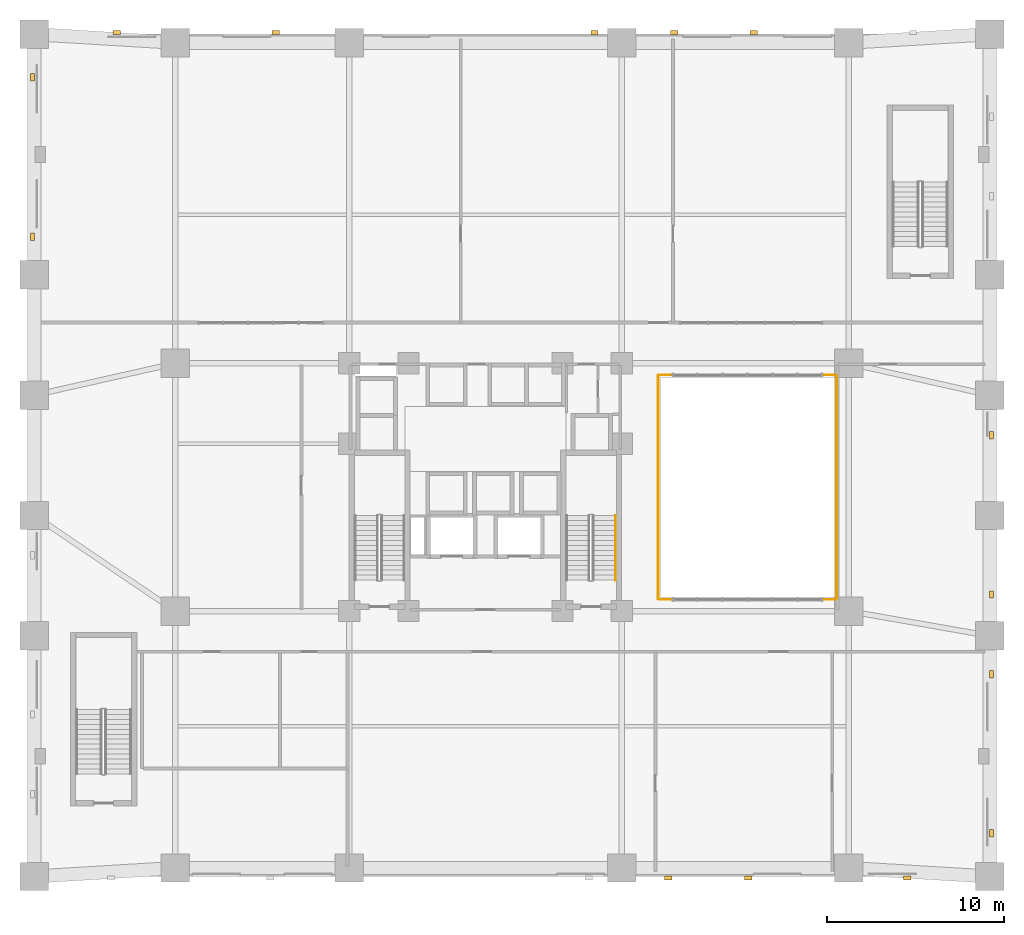
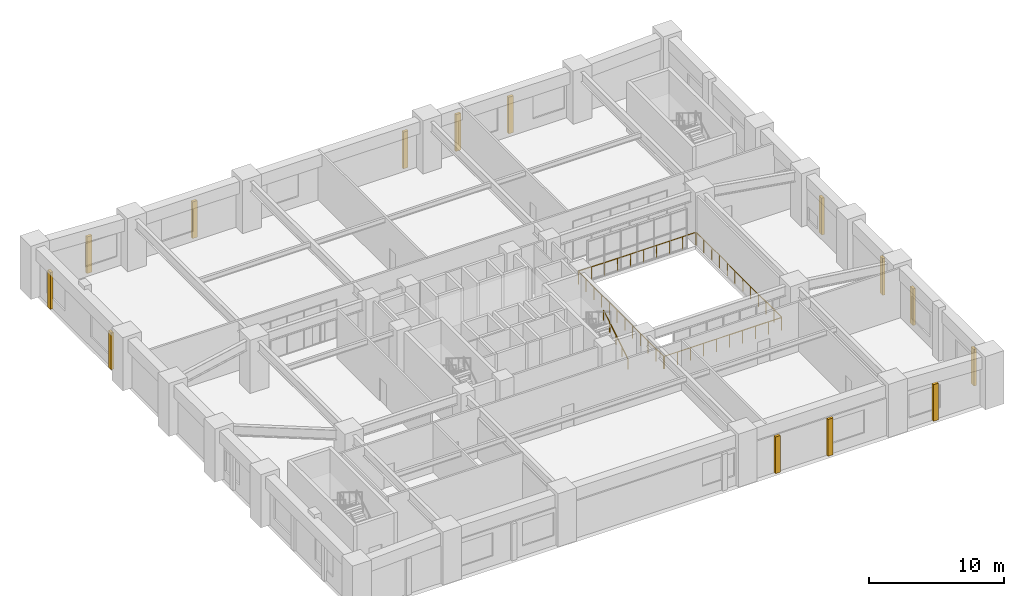
# One storey, part 12 of 13: 14 coverings, 5 railings.
"""IFC4 building model written with IfcOpenShell, lengths in metres."""

import ifcopenshell
import ifcopenshell.guid

model = None  # the IFC model being written
_history = None  # IfcOwnerHistory: only IFC2X3 demands one
_inside = {}  # id of a spatial element -> (the spatial element, [elements in it])
_under = {}  # id of a project, library or spatial element -> (it, [spatial elements below it])
_declared = {}  # id of a project -> (the project, [libraries it declares])
_typed = {}  # id of a type object -> (the type object, [elements of that type])
_made_of = {}  # id of a material, layer set ... -> (it, [elements and type objects made of it])


def new_model(schema):
    """Start an empty IFC model of exactly this schema.

    Asked for "IFC4X3", IfcOpenShell would pick the latest addendum, in which some entities
    have other attributes; the version numbers below select the first issue.
    IFC2X3 requires an IfcOwnerHistory on every rooted entity: one is made here for all.
    """
    global model, _history
    if schema == "IFC4X3":
        model = ifcopenshell.file(schema_version=(4, 3, 0, 0))
    else:
        model = ifcopenshell.file(schema=schema)
    _inside.clear()
    _under.clear()
    _declared.clear()
    _typed.clear()
    _made_of.clear()
    _history = None
    if model.schema == "IFC2X3":
        org = make("IfcOrganization", Name="unknown")
        user = make(
            "IfcPersonAndOrganization",
            ThePerson=make("IfcPerson", FamilyName="unknown"),
            TheOrganization=org,
        )
        app = make(
            "IfcApplication",
            ApplicationDeveloper=org,
            Version="unknown",
            ApplicationFullName="unknown",
            ApplicationIdentifier="unknown",
        )
        _history = make(
            "IfcOwnerHistory",
            OwningUser=user,
            OwningApplication=app,
            ChangeAction="ADDED",
            CreationDate=0,
        )
    return model


def make(cls, **values):
    """One entity of the class cls with the attributes given. An attribute that is None is left unset."""
    return model.create_entity(
        cls, **{name: value for name, value in values.items() if value is not None}
    )


def rooted(cls, **values):
    """An entity with a GlobalId (a new one), such as an element, a storey or a relation."""
    return make(cls, GlobalId=ifcopenshell.guid.new(), OwnerHistory=_history, **values)


def si_unit(unit_type, name, prefix=None):
    """IfcSIUnit, for example si_unit("LENGTHUNIT", "METRE", prefix="MILLI")."""
    return make("IfcSIUnit", UnitType=unit_type, Prefix=prefix, Name=name)


def derived_unit(unit_type, elements):
    """IfcDerivedUnit: a product of units, each with its exponent."""
    return make(
        "IfcDerivedUnit",
        Elements=[
            make("IfcDerivedUnitElement", Unit=unit, Exponent=power)
            for unit, power in elements
        ],
        UnitType=unit_type,
    )


def assignment(units):
    """IfcUnitAssignment: the units of a project."""
    return None if units is None else make("IfcUnitAssignment", Units=units)


def point(xyz):
    """IfcCartesianPoint."""
    return None if xyz is None else make("IfcCartesianPoint", Coordinates=xyz)


def direction(xyz):
    """IfcDirection."""
    return None if xyz is None else make("IfcDirection", DirectionRatios=xyz)


def frame(location, z_axis=None, x_axis=None):
    """IfcAxis2Placement3D, a coordinate frame: its origin and axes. An axis left out is left unset."""
    return make(
        "IfcAxis2Placement3D",
        Location=point(location),
        Axis=direction(z_axis),
        RefDirection=direction(x_axis),
    )


def frame_2d(location, x_axis=None):
    """IfcAxis2Placement2D, a coordinate frame in the plane: its origin and x axis."""
    return make(
        "IfcAxis2Placement2D", Location=point(location), RefDirection=direction(x_axis)
    )


def origin():
    """The frame at (0, 0, 0) with its axes left unset."""
    return frame((0.0, 0.0, 0.0))


def origin_2d():
    """The frame at (0, 0) in the plane with its x axis left unset."""
    return frame_2d((0.0, 0.0))


def place(relative_to, where):
    """IfcLocalPlacement: puts the frame where relative to a parent placement (None: the world)."""
    return make(
        "IfcLocalPlacement", PlacementRelTo=relative_to, RelativePlacement=where
    )


def context(
    kind, dimensions, precision=None, world=None, true_north=None, identifier=None
):
    """IfcGeometricRepresentationContext, for example the 3D "Model" context."""
    return make(
        "IfcGeometricRepresentationContext",
        ContextIdentifier=identifier,
        ContextType=kind,
        CoordinateSpaceDimension=dimensions,
        Precision=precision,
        WorldCoordinateSystem=world,
        TrueNorth=true_north,
    )


def subcontext(parent, identifier, kind, view, scale=None):
    """IfcGeometricRepresentationSubContext, for example "Body" below "Model"."""
    return make(
        "IfcGeometricRepresentationSubContext",
        ContextIdentifier=identifier,
        ContextType=kind,
        ParentContext=parent,
        TargetScale=scale,
        TargetView=view,
    )


def project(units=None, contexts=None):
    """IfcProject with its units and contexts."""
    return rooted(
        "IfcProject",
        Name="project",
        RepresentationContexts=contexts,
        UnitsInContext=assignment(units),
    )


def spatial(cls, under=None, at=None, **own):
    """A site, building, storey or space (cls), placed at a placement, below another one or the project."""
    s = rooted(cls, ObjectPlacement=at, **own)
    if under is not None:
        _under.setdefault(under.id(), (under, []))[1].append(s)
    return s


def profile(cls, at=None, kind="AREA", **sizes):
    """A parametric profile (cls). Its sizes go by their IFC names, for example OverallWidth=200.0."""
    return make(cls, ProfileType=kind, Position=at, **sizes)


def rectangle(**sizes):
    """IfcRectangleProfileDef."""
    return profile("IfcRectangleProfileDef", **sizes)


def circle(**sizes):
    """IfcCircleProfileDef."""
    return profile("IfcCircleProfileDef", **sizes)


def extrude(swept, where, along, depth):
    """IfcExtrudedAreaSolid: the profile swept, set in the frame where, extruded along a direction by depth."""
    return make(
        "IfcExtrudedAreaSolid",
        SweptArea=swept,
        Position=where,
        ExtrudedDirection=direction(along),
        Depth=depth,
    )


def shape(context_of_items, identifier, shape_type, items):
    """IfcShapeRepresentation: the items that make up one representation, for example the "Body"."""
    return make(
        "IfcShapeRepresentation",
        ContextOfItems=context_of_items,
        RepresentationIdentifier=identifier,
        RepresentationType=shape_type,
        Items=items,
    )


def material(Name=None, Category=None):
    """IfcMaterial."""
    return make("IfcMaterial", Name=Name, Category=Category)


def layer(
    of_material, thickness, ventilated=None, Name=None, Category=None, Priority=None
):
    """IfcMaterialLayer: one layer of a wall or slab, of a material (None: an air gap)."""
    return make(
        "IfcMaterialLayer",
        Material=of_material,
        LayerThickness=thickness,
        IsVentilated=ventilated,
        Name=Name,
        Category=Category,
        Priority=Priority,
    )


def layer_set(layers, Name=None):
    """IfcMaterialLayerSet."""
    return make("IfcMaterialLayerSet", MaterialLayers=layers, LayerSetName=Name)


def made_of(thing, what):
    """Note that an element or type object is made of a material, layer set ...; save() writes the relation."""
    if what is not None:
        _made_of.setdefault(what.id(), (what, []))[1].append(thing)
    return thing


def type_object(cls, material=None, **own):
    """A type object (cls), such as IfcWallType, which elements share."""
    return made_of(rooted(cls, **own), material)


def element(
    cls,
    number,
    at=None,
    inside=None,
    cuts=None,
    type_object=None,
    material=None,
    context=None,
    identifier="Body",
    shape_type=None,
    held_by="IfcProductDefinitionShape",
    body=None,
    shapes=None,
    **own,
):
    """One element of the class cls, such as IfcWall. Its Tag is "e" and its number.

    at: its placement. inside: the storey or other place that contains it. cuts: it is an
    opening in that element (IfcRelVoidsElement). A single representation is given by context,
    identifier, shape_type and body (its items); several are given by shapes. held_by: the class
    of the entity that holds the representations. save() writes the other relations.
    """
    e = rooted(cls, Tag="e%d" % number, ObjectPlacement=at, **own)
    if body is not None:
        shapes = [shape(context, identifier, shape_type, body)]
    if shapes is not None:
        e.Representation = make(held_by, Representations=shapes)
    if inside is not None:
        _inside.setdefault(inside.id(), (inside, []))[1].append(e)
    if cuts is not None:
        rooted(
            "IfcRelVoidsElement", RelatingBuildingElement=cuts, RelatedOpeningElement=e
        )
    if type_object is not None:
        _typed.setdefault(type_object.id(), (type_object, []))[1].append(e)
    return made_of(e, material)


def aggregate(whole, parts):
    """IfcRelAggregates: a whole, such as a stair, and the parts it consists of."""
    return rooted("IfcRelAggregates", RelatingObject=whole, RelatedObjects=parts)


def save(model, path):
    """Write the relations noted so far, then the file.

    IfcRelAggregates (storeys below a building ...), IfcRelContainedInSpatialStructure (elements
    in a storey), IfcRelDefinesByType, IfcRelAssociatesMaterial and IfcRelDeclares: one each for
    every whole, place, type object, material and project.
    """
    for whole, parts in _under.values():
        aggregate(whole, parts)
    for where, things in _inside.values():
        rooted(
            "IfcRelContainedInSpatialStructure",
            RelatedElements=things,
            RelatingStructure=where,
        )
    for kind, things in _typed.values():
        rooted("IfcRelDefinesByType", RelatedObjects=things, RelatingType=kind)
    for what, things in _made_of.values():
        rooted("IfcRelAssociatesMaterial", RelatedObjects=things, RelatingMaterial=what)
    for by, libraries in _declared.values():
        rooted("IfcRelDeclares", RelatingContext=by, RelatedDefinitions=libraries)
    model.write(path)


model = new_model("IFC4")

# Units and contexts
model_context = context("Model", 3, precision=1e-05, world=origin(), true_north=direction((0.0, 1.0)))
body_context = subcontext(model_context, "Body", "Model", "MODEL_VIEW")
ifc_project = project(units=[si_unit("LENGTHUNIT", "METRE"), si_unit("AREAUNIT", "SQUARE_METRE"), si_unit("VOLUMEUNIT", "CUBIC_METRE"), si_unit("PLANEANGLEUNIT", "RADIAN"), si_unit("MASSUNIT", "GRAM", prefix="KILO"), derived_unit("THERMALTRANSMITTANCEUNIT", [(si_unit("MASSUNIT", "GRAM", prefix="KILO"), 1), (si_unit("TIMEUNIT", "SECOND"), -3), (si_unit("THERMODYNAMICTEMPERATUREUNIT", "KELVIN"), -1)])], contexts=[model_context])

# Site, building, storey
site_placement = place(None, origin())
site = spatial("IfcSite", under=ifc_project, at=site_placement, CompositionType="ELEMENT")
building_placement = place(site_placement, origin())
building = spatial("IfcBuilding", under=site, at=building_placement, Name="Korrvale Station Residences", CompositionType="ELEMENT")
storey_placement = place(building_placement, frame((0.0, 0.0, 11.199951171875)))
storey = spatial("IfcBuildingStorey", under=building, at=storey_placement, Name="L02", CompositionType="ELEMENT", Elevation=11.199951171875)

# Coverings
ifc_material_1 = material(Name="Architectural precast concrete C45/55", Category="concrete")
ifc_layer = layer(ifc_material_1, 0.219970703125, Name="Architectural precast concrete C45/55")
ifc_layer_set = layer_set([ifc_layer], Name="Architectural precast concrete C45/55")
covering_type = type_object("IfcCoveringType", Name="COV-PIER-400", PredefinedType="CLADDING", material=ifc_layer_set)
for number, where, z_axis, x_axis, name in (
    (1, (49.340087890625, -0.090087890625, 0.025146484375), (0.0, 0.0, 1.0), (1.0, 0.0, 0.0), "L02 Architectural Precast Facade Pier 01"),
    (2, (40.340087890625, -0.090087890625, 0.025146484375), (0.0, 0.0, 1.0), (1.0, 0.0, 0.0), "L02 Architectural Precast Facade Pier 02"),
    (3, (35.840087890625, -0.090087890625, 0.025146484375), (0.0, 0.0, 1.0), (1.0, 0.0, 0.0), "L02 Architectural Precast Facade Pier 03"),
    (4, (4.659912109375, 47.68994140625, 0.025146484375), (0.0, 0.0, 1.0), (1.0, 0.0, 0.0), "L02 Architectural Precast Facade Pier 07"),
    (5, (13.659912109375, 47.68994140625, 0.025146484375), (0.0, 0.0, 1.0), (1.0, 0.0, 0.0), "L02 Architectural Precast Facade Pier 08"),
    (6, (31.659912109375, 47.68994140625, 0.025146484375), (0.0, 0.0, 1.0), (1.0, 0.0, 0.0), "L02 Architectural Precast Facade Pier 09"),
    (7, (36.159912109375, 47.68994140625, 0.025146484375), (0.0, 0.0, 1.0), (1.0, 0.0, 0.0), "L02 Architectural Precast Facade Pier 10"),
    (8, (40.659912109375, 47.68994140625, 0.025146484375), (0.0, 0.0, 1.0), (1.0, 0.0, 0.0), "L02 Architectural Precast Facade Pier 11"),
    (9, (-0.090087890625, 36.159912109375, 0.025146484375), (0.0, 0.0, 1.0), (0.0, 1.0, 0.0), "L02 Architectural Precast Facade Pier 16"),
    (10, (-0.090087890625, 45.159912109375, 0.025146484375), (0.0, 0.0, 1.0), (0.0, 1.0, 0.0), "L02 Architectural Precast Facade Pier 17"),
    (11, (54.090087890625, 24.93994140625, 0.025146484375), (0.0, 0.0, 1.0), (0.0, 1.0, 0.0), "L02 Architectural Precast Facade Pier 20"),
    (12, (54.090087890625, 15.93994140625, 0.025146484375), (0.0, 0.0, 1.0), (0.0, 1.0, 0.0), "L02 Architectural Precast Facade Pier 21"),
    (13, (54.090087890625, 11.43994140625, 0.025146484375), (0.0, 0.0, 1.0), (0.0, 1.0, 0.0), "L02 Architectural Precast Facade Pier 22"),
    (14, (54.090087890625, 2.43994140625, 0.025146484375), (0.0, 0.0, 1.0), (0.0, 1.0, 0.0), "L02 Architectural Precast Facade Pier 23"),
):
    element("IfcCovering", number, at=place(storey_placement, frame(where, z_axis=z_axis, x_axis=x_axis)), inside=storey, type_object=covering_type, Name=name, PredefinedType="CLADDING", context=body_context, shape_type="SweptSolid", body=[
        extrude(rectangle(XDim=0.419921875, YDim=0.219970703125, at=origin_2d()), origin(), (0.0, 0.0, 1.0), 3.31494140625),
    ])

# Railings
ifc_material_2 = material(Name="Laminated glass and brushed bronze interior atrium balustrade", Category="glass")
railing_type_1 = type_object("IfcRailingType", Name="RLG-ATR-1150", PredefinedType="BALUSTRADE", material=ifc_material_2)
for number, where, name in (
    (15, (35.300048828125, 15.659912109375, 0.0), "L02 Atrium Void Balustrade 1-S"),
    (16, (35.300048828125, 28.340087890625, 0.0), "L02 Atrium Void Balustrade 1-N"),
):
    element("IfcRailing", number, at=place(storey_placement, frame(where)), inside=storey, type_object=railing_type_1, Name=name, PredefinedType="BALUSTRADE", context=body_context, shape_type="SweptSolid", body=[
        extrude(circle(Radius=0.02392578125, at=origin_2d()), frame((0.0, 0.0, 1.1259765625), z_axis=(1.0, 0.0, 0.0), x_axis=(0.0, 1.0, 0.0)), (0.0, 0.0, 1.0), 10.0),
        extrude(circle(Radius=0.02099609375, at=origin_2d()), origin(), (0.0, 0.0, 1.0), 1.101806640625),
        extrude(circle(Radius=0.02099609375, at=origin_2d()), frame((1.111083984375, 0.0, 0.0)), (0.0, 0.0, 1.0), 1.101806640625),
        extrude(circle(Radius=0.02099609375, at=origin_2d()), frame((2.22216796875, 0.0, 0.0)), (0.0, 0.0, 1.0), 1.101806640625),
        extrude(circle(Radius=0.02099609375, at=origin_2d()), frame((3.333251953125, 0.0, 0.0)), (0.0, 0.0, 1.0), 1.101806640625),
        extrude(circle(Radius=0.02099609375, at=origin_2d()), frame((4.4443359375, 0.0, 0.0)), (0.0, 0.0, 1.0), 1.101806640625),
        extrude(circle(Radius=0.02099609375, at=origin_2d()), frame((5.5556640625, 0.0, 0.0)), (0.0, 0.0, 1.0), 1.101806640625),
        extrude(circle(Radius=0.02099609375, at=origin_2d()), frame((6.666748046875, 0.0, 0.0)), (0.0, 0.0, 1.0), 1.101806640625),
        extrude(circle(Radius=0.02099609375, at=origin_2d()), frame((7.77783203125, 0.0, 0.0)), (0.0, 0.0, 1.0), 1.101806640625),
        extrude(circle(Radius=0.02099609375, at=origin_2d()), frame((8.888916015625, 0.0, 0.0)), (0.0, 0.0, 1.0), 1.101806640625),
        extrude(circle(Radius=0.02099609375, at=origin_2d()), frame((10.0, 0.0, 0.0)), (0.0, 0.0, 1.0), 1.101806640625),
    ])
for number, where, name in (
    (17, (35.260009765625, 15.699951171875, 0.0), "L02 Atrium Void Balustrade 1-W"),
    (18, (45.340087890625, 15.699951171875, 0.0), "L02 Atrium Void Balustrade 1-E"),
):
    element("IfcRailing", number, at=place(storey_placement, frame(where)), inside=storey, type_object=railing_type_1, Name=name, PredefinedType="BALUSTRADE", context=body_context, shape_type="SweptSolid", body=[
        extrude(circle(Radius=0.02392578125, at=origin_2d()), frame((0.0, 0.0, 1.1259765625), z_axis=(0.0, 1.0, 0.0), x_axis=(-1.0, 0.0, 0.0)), (0.0, 0.0, 1.0), 12.60009765625),
        extrude(circle(Radius=0.02099609375, at=origin_2d()), origin(), (0.0, 0.0, 1.0), 1.101806640625),
        extrude(circle(Radius=0.02099609375, at=origin_2d()), frame((0.0, 1.1455078125, 0.0)), (0.0, 0.0, 1.0), 1.101806640625),
        extrude(circle(Radius=0.02099609375, at=origin_2d()), frame((0.0, 2.291015625, 0.0)), (0.0, 0.0, 1.0), 1.101806640625),
        extrude(circle(Radius=0.02099609375, at=origin_2d()), frame((0.0, 3.436279296875, 0.0)), (0.0, 0.0, 1.0), 1.101806640625),
        extrude(circle(Radius=0.02099609375, at=origin_2d()), frame((0.0, 4.581787109375, 0.0)), (0.0, 0.0, 1.0), 1.101806640625),
        extrude(circle(Radius=0.02099609375, at=origin_2d()), frame((0.0, 5.727294921875, 0.0)), (0.0, 0.0, 1.0), 1.101806640625),
        extrude(circle(Radius=0.02099609375, at=origin_2d()), frame((0.0, 6.872802734375, 0.0)), (0.0, 0.0, 1.0), 1.101806640625),
        extrude(circle(Radius=0.02099609375, at=origin_2d()), frame((0.0, 8.018310546875, 0.0)), (0.0, 0.0, 1.0), 1.101806640625),
        extrude(circle(Radius=0.02099609375, at=origin_2d()), frame((0.0, 9.163818359375, 0.0)), (0.0, 0.0, 1.0), 1.101806640625),
        extrude(circle(Radius=0.02099609375, at=origin_2d()), frame((0.0, 10.30908203125, 0.0)), (0.0, 0.0, 1.0), 1.101806640625),
        extrude(circle(Radius=0.02099609375, at=origin_2d()), frame((0.0, 11.45458984375, 0.0)), (0.0, 0.0, 1.0), 1.101806640625),
        extrude(circle(Radius=0.02099609375, at=origin_2d()), frame((0.0, 12.60009765625, 0.0)), (0.0, 0.0, 1.0), 1.101806640625),
    ])
ifc_material_3 = material(Name="Brushed stainless-steel continuous stair handrail", Category="steel")
railing_type_2 = type_object("IfcRailingType", Name="RLG-SHND-900", PredefinedType="HANDRAIL", material=ifc_material_3)
railing_placement = place(storey_placement, frame((32.85009765625, 16.75, 0.17138671875)))
element("IfcRailing", 19, at=railing_placement, inside=storey, type_object=railing_type_2, Name="L02 ST-2 stair handrail 1", PredefinedType="HANDRAIL", context=body_context, shape_type="SweptSolid", body=[
    extrude(circle(Radius=0.02392578125, at=origin_2d()), frame((0.0, 0.0, 0.8759765625), z_axis=(0.0, 0.852824790078, 0.522197163366), x_axis=(-1.0, 0.0, 0.0)), (0.0, 0.0, 1.0), 4.26806640625),
    extrude(circle(Radius=0.02099609375, at=origin_2d()), origin(), (0.0, 0.0, 1.0), 0.851806640625),
    extrude(circle(Radius=0.02099609375, at=origin_2d()), frame((0.0, 0.909912109375, 0.55712890625)), (0.0, 0.0, 1.0), 0.851806640625),
    extrude(circle(Radius=0.02099609375, at=origin_2d()), frame((0.0, 1.81982421875, 1.1142578125)), (0.0, 0.0, 1.0), 0.851806640625),
    extrude(circle(Radius=0.02099609375, at=origin_2d()), frame((0.0, 2.72998046875, 1.671630859375)), (0.0, 0.0, 1.0), 0.851806640625),
    extrude(circle(Radius=0.02099609375, at=origin_2d()), frame((0.0, 3.639892578125, 2.228759765625)), (0.0, 0.0, 1.0), 0.851806640625),
])

save(model, "model.ifc")
